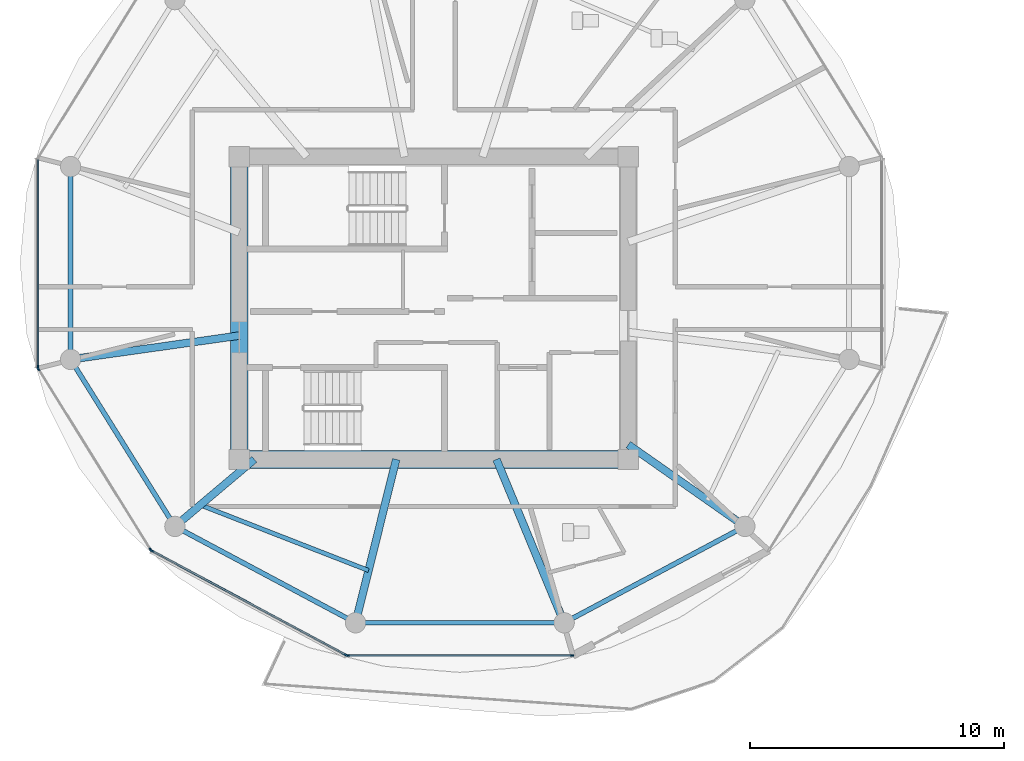
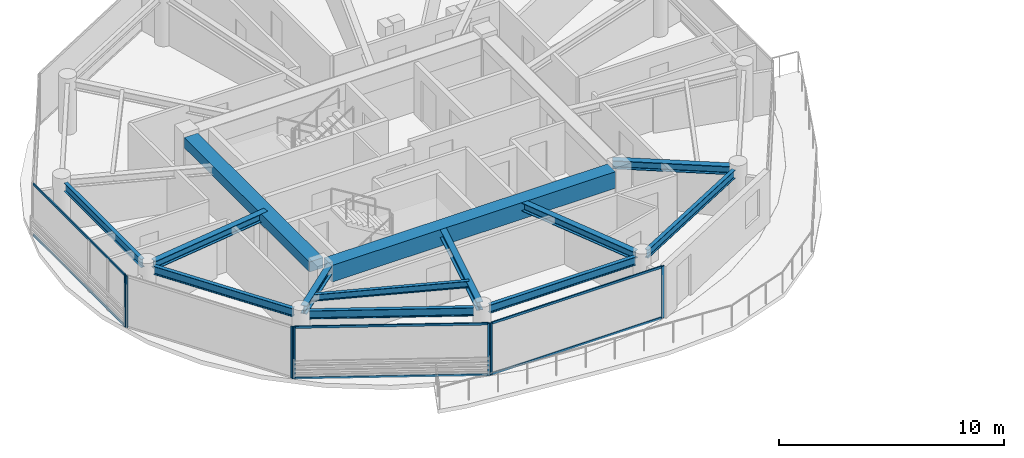
# One storey, part 2 of 23: 13 beams, 13 members, 4 elements without a shape of their own.
"""IFC4 building model written with IfcOpenShell, lengths in metres."""

from ifc_helpers import new_model, si_unit, direction, frame, origin, origin_2d, place, context, subcontext, project, spatial, rectangle, i_section, extrude, source, transform, mapped, material, layer, layer_set, material_profile, profile_set, type_object, type_shapes, element, aggregate, save


model = new_model("IFC4")

# Units and contexts
model_context = context("Model", 3, precision=1e-05, world=origin(), true_north=direction((0.0, 1.0)))
body_context = subcontext(model_context, "Body", "Model", "MODEL_VIEW")
ifc_project = project(units=[si_unit("LENGTHUNIT", "METRE"), si_unit("AREAUNIT", "SQUARE_METRE"), si_unit("VOLUMEUNIT", "CUBIC_METRE"), si_unit("PLANEANGLEUNIT", "RADIAN"), si_unit("MASSUNIT", "GRAM", prefix="KILO")], contexts=[model_context])

# Site, building, storey
site_placement = place(None, origin())
site = spatial("IfcSite", under=ifc_project, at=site_placement, CompositionType="ELEMENT")
building_placement = place(site_placement, origin())
building = spatial("IfcBuilding", under=site, at=building_placement, Name="Norrkilde Senior Care Towers", CompositionType="ELEMENT")
storey_placement = place(building_placement, frame((0.0, 0.0, 177.0)))
storey = spatial("IfcBuildingStorey", under=building, at=storey_placement, Name="L55", CompositionType="ELEMENT", Elevation=177.0)

# Beams
ifc_material_1 = material(Name="Concrete C60/75", Category="concrete")
ifc_material_profile_1 = material_profile(ifc_material_1, rectangle(XDim=0.699951171875, YDim=0.89990234375, at=origin_2d()), Name="RC BM 700x900")
ifc_profile_set_1 = profile_set([ifc_material_profile_1], Name="Concrete C60/75")
beam_type_1 = type_object("IfcBeamType", Name="Core Coupling Girder 700x900", PredefinedType="USERDEFINED", material=ifc_profile_set_1)
shared_shape_1 = source(origin(), body_context, "Body", "SweptSolid", [
    extrude(rectangle(XDim=0.699951171875, YDim=0.89990234375, at=origin_2d()), origin(), (0.0, 0.0, 1.0), 14.5400390625),
])
type_shapes(beam_type_1, [shared_shape_1])
beam_1_placement = place(storey_placement, frame((-35.27001953125, -5.949951171875, 2.360107421875), z_axis=(1.0, 0.0, 0.0), x_axis=(0.0, 1.0, 0.0)))
element("IfcBeam", 1, at=beam_1_placement, inside=storey, type_object=beam_type_1, Name="L55 Core W S Coupling Girder", ObjectType="GIRDER", PredefinedType="USERDEFINED", context=body_context, shape_type="MappedRepresentation", body=[
    mapped(shared_shape_1, transform((0.0, 0.0, 0.0), x_axis=(1.0, 0.0, 0.0), y_axis=(0.0, 1.0, 0.0), z_axis=(0.0, 0.0, 1.0), scale=1.0)),
])
ifc_material_profile_2 = material_profile(ifc_material_1, rectangle(XDim=0.699951171875, YDim=0.550048828125, at=origin_2d()), Name="RC BM 700x550")
ifc_profile_set_2 = profile_set([ifc_material_profile_2], Name="Concrete C60/75")
beam_type_2 = type_object("IfcBeamType", Name="Core Portal Coupling Beam 700x550", PredefinedType="USERDEFINED", material=ifc_profile_set_2)
shared_shape_2 = source(origin(), body_context, "Body", "SweptSolid", [
    extrude(rectangle(XDim=0.699951171875, YDim=0.550048828125, at=origin_2d()), origin(), (0.0, 0.0, 1.0), 11.14013671875),
])
type_shapes(beam_type_2, [shared_shape_2])
beam_2_placement = place(storey_placement, frame((-35.64990234375, -5.570068359375, 2.534912109375), z_axis=(0.0, 1.0, 0.0), x_axis=(-1.0, 0.0, 0.0)))
element("IfcBeam", 2, at=beam_2_placement, inside=storey, type_object=beam_type_2, Name="L55 Core W W Coupling Girder", ObjectType="GIRDER", PredefinedType="USERDEFINED", context=body_context, shape_type="MappedRepresentation", body=[
    mapped(shared_shape_2, transform((0.0, 0.0, 0.0), x_axis=(1.0, 0.0, 0.0), y_axis=(0.0, 1.0, 0.0), z_axis=(0.0, 0.0, 1.0), scale=1.0)),
])
ifc_material_2 = material(Name="Steel S355", Category="steel")
ifc_material_profile_3 = material_profile(ifc_material_2, i_section(OverallWidth=0.18994140625, OverallDepth=0.449951171875, WebThickness=0.009521484375, FlangeThickness=0.0146484375, FilletRadius=0.02099609375, at=origin_2d()), Name="IPE 450")
ifc_profile_set_3 = profile_set([ifc_material_profile_3], Name="Steel S355")
beam_type_3 = type_object("IfcBeamType", Name="Perimeter Ring Spandrel Z3 IPE450", PredefinedType="SPANDREL", material=ifc_profile_set_3)
shared_shape_3 = source(origin(), body_context, "Body", "SweptSolid", [
    extrude(i_section(OverallWidth=0.18994140625, OverallDepth=0.449951171875, WebThickness=0.009521484375, FlangeThickness=0.0146484375, FilletRadius=0.02099609375, at=origin_2d()), origin(), (0.0, 0.0, 1.0), 7.484619140625),
])
beam_3_placement = place(storey_placement, frame((-30.71728515625, -12.37548828125, 2.5849609375), z_axis=(1.0, 0.0, 0.0), x_axis=(0.0, 1.0, 0.0)))
element("IfcBeam", 3, at=beam_3_placement, inside=storey, type_object=beam_type_3, Name="L55 Drum W Perimeter Spandrel 09", PredefinedType="SPANDREL", context=body_context, shape_type="MappedRepresentation", body=[
    mapped(shared_shape_3, transform((0.0, 0.0, 0.0), x_axis=(1.0, 0.0, 0.0), y_axis=(0.0, 1.0, 0.0), z_axis=(0.0, 0.0, 1.0), scale=1.0)),
])
shared_shape_4 = source(origin(), body_context, "Body", "SweptSolid", [
    extrude(i_section(OverallWidth=0.18994140625, OverallDepth=0.449951171875, WebThickness=0.009521484375, FlangeThickness=0.0146484375, FilletRadius=0.02099609375, at=origin_2d()), origin(), (0.0, 0.0, 1.0), 6.86328125),
])
beam_4_placement = place(storey_placement, frame((-42.284912109375, 5.20703125, 2.5849609375), z_axis=(0.0, -1.0, 0.0), x_axis=(1.0, 0.0, 0.0)))
element("IfcBeam", 4, at=beam_4_placement, inside=storey, type_object=beam_type_3, Name="L55 Drum W Perimeter Spandrel 06", PredefinedType="SPANDREL", context=body_context, shape_type="MappedRepresentation", body=[
    mapped(shared_shape_4, transform((0.0, 0.0, 0.0), x_axis=(1.0, 0.0, 0.0), y_axis=(0.0, 1.0, 0.0), z_axis=(0.0, 0.0, 1.0), scale=1.0)),
])
shared_shape_5 = source(origin(), body_context, "Body", "SweptSolid", [
    extrude(i_section(OverallWidth=0.18994140625, OverallDepth=0.449951171875, WebThickness=0.009521484375, FlangeThickness=0.0146484375, FilletRadius=0.02099609375, at=origin_2d()), origin(), (0.0, 0.0, 1.0), 7.023193359375),
])
beam_5_placement = place(storey_placement, frame((-42.09423828125, -2.32177734375, 2.5849609375), z_axis=(0.529805197269, -0.848119362441, 0.0), x_axis=(0.848119362441, 0.529805197269, 0.0)))
element("IfcBeam", 5, at=beam_5_placement, inside=storey, type_object=beam_type_3, Name="L55 Drum W Perimeter Spandrel 07", PredefinedType="SPANDREL", context=body_context, shape_type="MappedRepresentation", body=[
    mapped(shared_shape_5, transform((0.0, 0.0, 0.0), x_axis=(1.0, 0.0, 0.0), y_axis=(0.0, 1.0, 0.0), z_axis=(0.0, 0.0, 1.0), scale=1.0)),
])
ifc_material_profile_4 = material_profile(ifc_material_2, i_section(OverallWidth=0.300048828125, OverallDepth=0.449951171875, WebThickness=0.013916015625, FlangeThickness=0.02587890625, FilletRadius=0.027099609375, at=origin_2d()), Name="HEB 450")
ifc_profile_set_4 = profile_set([ifc_material_profile_4], Name="Steel S355")
beam_type_4 = type_object("IfcBeamType", Name="Radial Floor Beam Z3 HEB450", PredefinedType="BEAM", material=ifc_profile_set_4)
shared_shape_6 = source(origin(), body_context, "Body", "SweptSolid", [
    extrude(i_section(OverallWidth=0.300048828125, OverallDepth=0.449951171875, WebThickness=0.013916015625, FlangeThickness=0.02587890625, FilletRadius=0.027099609375, at=origin_2d()), origin(), (0.0, 0.0, 1.0), 6.3408203125),
])
beam_6_placement = place(storey_placement, frame((-35.64990234375, -1.079833984375, 2.5849609375), z_axis=(-0.990184519576, -0.139766294905, 0.0), x_axis=(0.139766294905, -0.990184519576, 0.0)))
element("IfcBeam", 6, at=beam_6_placement, inside=storey, type_object=beam_type_4, Name="L55 Drum W Radial Floor Beam 07", PredefinedType="BEAM", context=body_context, shape_type="MappedRepresentation", body=[
    mapped(shared_shape_6, transform((0.0, 0.0, 0.0), x_axis=(1.0, 0.0, 0.0), y_axis=(0.0, 1.0, 0.0), z_axis=(0.0, 0.0, 1.0), scale=1.0)),
])
shared_shape_7 = source(origin(), body_context, "Body", "SweptSolid", [
    extrude(i_section(OverallWidth=0.18994140625, OverallDepth=0.449951171875, WebThickness=0.009521484375, FlangeThickness=0.0146484375, FilletRadius=0.02099609375, at=origin_2d()), origin(), (0.0, 0.0, 1.0), 7.333984375),
])
type_shapes(beam_type_3, [shared_shape_3, shared_shape_4, shared_shape_5, shared_shape_7])
for number, where, z_axis, x_axis, name in (
    (7, (-37.864990234375, -8.753173828125, 2.5849609375), (0.882234038987, -0.470811109101, 0.0), (0.470811109101, 0.882234038987, 0.0), "L55 Drum W Perimeter Spandrel 08"),
    (8, (-22.55517578125, -12.2060546875, 2.5849609375), (0.882234038987, 0.470811109101, 0.0), (-0.470811109101, 0.882234038987, 0.0), "L55 Drum W Perimeter Spandrel 10"),
):
    element("IfcBeam", number, at=place(storey_placement, frame(where, z_axis=z_axis, x_axis=x_axis)), inside=storey, type_object=beam_type_3, Name=name, PredefinedType="SPANDREL", context=body_context, shape_type="MappedRepresentation", body=[
        mapped(shared_shape_7, transform((0.0, 0.0, 0.0), x_axis=(1.0, 0.0, 0.0), y_axis=(0.0, 1.0, 0.0), z_axis=(0.0, 0.0, 1.0), scale=1.0)),
    ])
shared_shape_8 = source(origin(), body_context, "Body", "SweptSolid", [
    extrude(i_section(OverallWidth=0.300048828125, OverallDepth=0.449951171875, WebThickness=0.013916015625, FlangeThickness=0.02587890625, FilletRadius=0.027099609375, at=origin_2d()), origin(), (0.0, 0.0, 1.0), 3.7265625),
])
beam_7_placement = place(storey_placement, frame((-35.058349609375, -5.949951171875, 2.5849609375), z_axis=(-0.764567902106, -0.644543189453, 0.0), x_axis=(0.644543189453, -0.764567902106, 0.0)))
element("IfcBeam", 9, at=beam_7_placement, inside=storey, type_object=beam_type_4, Name="L55 Drum W Radial Floor Beam 08", PredefinedType="BEAM", context=body_context, shape_type="MappedRepresentation", body=[
    mapped(shared_shape_8, transform((0.0, 0.0, 0.0), x_axis=(1.0, 0.0, 0.0), y_axis=(0.0, 1.0, 0.0), z_axis=(0.0, 0.0, 1.0), scale=1.0)),
])
shared_shape_9 = source(origin(), body_context, "Body", "SweptSolid", [
    extrude(i_section(OverallWidth=0.300048828125, OverallDepth=0.449951171875, WebThickness=0.013916015625, FlangeThickness=0.02587890625, FilletRadius=0.027099609375, at=origin_2d()), origin(), (0.0, 0.0, 1.0), 6.26123046875),
])
beam_8_placement = place(storey_placement, frame((-29.4794921875, -5.949951171875, 2.5849609375), z_axis=(-0.241324375921, -0.970444509277, 0.0), x_axis=(0.970444509277, -0.241324375921, 0.0)))
element("IfcBeam", 10, at=beam_8_placement, inside=storey, type_object=beam_type_4, Name="L55 Drum W Radial Floor Beam 09", PredefinedType="BEAM", context=body_context, shape_type="MappedRepresentation", body=[
    mapped(shared_shape_9, transform((0.0, 0.0, 0.0), x_axis=(1.0, 0.0, 0.0), y_axis=(0.0, 1.0, 0.0), z_axis=(0.0, 0.0, 1.0), scale=1.0)),
])
shared_shape_10 = source(origin(), body_context, "Body", "SweptSolid", [
    extrude(i_section(OverallWidth=0.300048828125, OverallDepth=0.449951171875, WebThickness=0.013916015625, FlangeThickness=0.02587890625, FilletRadius=0.027099609375, at=origin_2d()), origin(), (0.0, 0.0, 1.0), 6.59521484375),
])
beam_9_placement = place(storey_placement, frame((-25.534912109375, -5.949951171875, 2.5849609375), z_axis=(0.382761541363, -0.923847174836, 0.0), x_axis=(0.923847174836, 0.382761541363, 0.0)))
element("IfcBeam", 11, at=beam_9_placement, inside=storey, type_object=beam_type_4, Name="L55 Drum W Radial Floor Beam 10", PredefinedType="BEAM", context=body_context, shape_type="MappedRepresentation", body=[
    mapped(shared_shape_10, transform((0.0, 0.0, 0.0), x_axis=(1.0, 0.0, 0.0), y_axis=(0.0, 1.0, 0.0), z_axis=(0.0, 0.0, 1.0), scale=1.0)),
])
shared_shape_11 = source(origin(), body_context, "Body", "SweptSolid", [
    extrude(i_section(OverallWidth=0.300048828125, OverallDepth=0.449951171875, WebThickness=0.013916015625, FlangeThickness=0.02587890625, FilletRadius=0.027099609375, at=origin_2d()), origin(), (0.0, 0.0, 1.0), 5.23828125),
])
type_shapes(beam_type_4, [shared_shape_6, shared_shape_8, shared_shape_9, shared_shape_10, shared_shape_11])
beam_10_placement = place(storey_placement, frame((-20.35009765625, -5.3681640625, 2.5849609375), z_axis=(0.818592061291, -0.574375345215, 0.0), x_axis=(0.574375345215, 0.818592061291, 0.0)))
element("IfcBeam", 12, at=beam_10_placement, inside=storey, type_object=beam_type_4, Name="L55 Drum W Radial Floor Beam 11", PredefinedType="BEAM", context=body_context, shape_type="MappedRepresentation", body=[
    mapped(shared_shape_11, transform((0.0, 0.0, 0.0), x_axis=(1.0, 0.0, 0.0), y_axis=(0.0, 1.0, 0.0), z_axis=(0.0, 0.0, 1.0), scale=1.0)),
])
ifc_material_profile_5 = material_profile(ifc_material_2, i_section(OverallWidth=0.169921875, OverallDepth=0.360107421875, WebThickness=0.008056640625, FlangeThickness=0.0126953125, FilletRadius=0.01806640625, at=origin_2d()), Name="IPE 360")
ifc_profile_set_5 = profile_set([ifc_material_profile_5], Name="Steel S355")
beam_type_5 = type_object("IfcBeamType", Name="Secondary Floor Joist IPE360", PredefinedType="JOIST", material=ifc_profile_set_5)
shared_shape_12 = source(origin(), body_context, "Body", "SweptSolid", [
    extrude(i_section(OverallWidth=0.169921875, OverallDepth=0.360107421875, WebThickness=0.008056640625, FlangeThickness=0.0126953125, FilletRadius=0.01806640625, at=origin_2d()), origin(), (0.0, 0.0, 1.0), 7.1015625),
])
type_shapes(beam_type_5, [shared_shape_12])
beam_11_placement = place(storey_placement, frame((-37.182861328125, -7.740966796875, 2.6298828125), z_axis=(0.931761231292, -0.363071629106, 0.0), x_axis=(0.363071629106, 0.931761231292, 0.0)))
element("IfcBeam", 13, at=beam_11_placement, inside=storey, type_object=beam_type_5, Name="L55 Drum W Secondary Floor Joist 3", PredefinedType="JOIST", context=body_context, shape_type="MappedRepresentation", body=[
    mapped(shared_shape_12, transform((0.0, 0.0, 0.0), x_axis=(1.0, 0.0, 0.0), y_axis=(0.0, 1.0, 0.0), z_axis=(0.0, 0.0, 1.0), scale=1.0)),
])

# Curtain wall, member
ifc_material_3 = material(Name="Triple Low-E Insulated Glazing", Category="glass")
ifc_layer = layer(ifc_material_3, 0.18994140625)
ifc_layer_set = layer_set([ifc_layer], Name="Triple Low-E Insulated Glazing")
curtain_wall_type = type_object("IfcCurtainWallType", Name="CW4 Zone 3 Senior Residence Curtain Wall", PredefinedType="NOTDEFINED", material=ifc_layer_set)
curtain_wall_1_placement = place(storey_placement, origin())
curtain_wall_1 = element("IfcCurtainWall", 14, at=curtain_wall_1_placement, inside=storey, type_object=curtain_wall_type, Name="L55 Drum W Curtain Wall 05", PredefinedType="NOTDEFINED")
ifc_material_4 = material(Name="Anodised Aluminium", Category="aluminium")
ifc_material_profile_6 = material_profile(ifc_material_4, rectangle(XDim=0.06494140625, YDim=0.14990234375, at=origin_2d()), Name="ALU MULL 65x150")
ifc_profile_set_6 = profile_set([ifc_material_profile_6], Name="Anodised Aluminium")
member_type_1 = type_object("IfcMemberType", Name="Curtain Wall Mullion Z3-Z4 65x150", PredefinedType="MULLION", material=ifc_profile_set_6)
shared_shape_13 = source(origin(), body_context, "Body", "SweptSolid", [
    extrude(rectangle(XDim=0.06494140625, YDim=0.14990234375, at=origin_2d()), origin(), (0.0, 0.0, 1.0), 2.81005859375),
])
type_shapes(member_type_1, [shared_shape_13])
member_1_placement = place(storey_placement, frame((-43.569580078125, -2.328125, 0.0), z_axis=(0.0, 0.0, 1.0), x_axis=(-1.0, 0.0, 0.0)))
member_1 = element("IfcMember", 15, at=member_1_placement, type_object=member_type_1, Name="CW-4 mullion 1", PredefinedType="MULLION", context=body_context, shape_type="MappedRepresentation", body=[
    mapped(shared_shape_13, transform((0.0, 0.0, 0.0), x_axis=(1.0, 0.0, 0.0), y_axis=(0.0, 1.0, 0.0), z_axis=(0.0, 0.0, 1.0), scale=1.0)),
])

# Curtain wall, members
curtain_wall_2_placement = place(storey_placement, origin())
curtain_wall_2 = element("IfcCurtainWall", 16, at=curtain_wall_2_placement, inside=storey, type_object=curtain_wall_type, Name="L55 Drum W Curtain Wall 06", PredefinedType="NOTDEFINED")
member_2_placement = place(storey_placement, frame((-39.14013671875, -9.49658203125, 0.0), z_axis=(0.0, 0.0, 1.0), x_axis=(-0.84963405474, -0.52737270789, 0.0)))
member_2 = element("IfcMember", 17, at=member_2_placement, type_object=member_type_1, Name="CW-4 mullion 1", PredefinedType="MULLION", context=body_context, shape_type="MappedRepresentation", body=[
    mapped(shared_shape_13, transform((0.0, 0.0, 0.0), x_axis=(1.0, 0.0, 0.0), y_axis=(0.0, 1.0, 0.0), z_axis=(0.0, 0.0, 1.0), scale=1.0)),
])
member_3_placement = place(storey_placement, frame((-43.552490234375, -2.38818359375, 0.0), z_axis=(0.0, 0.0, 1.0), x_axis=(-0.84963405474, -0.52737270789, 0.0)))
member_3 = element("IfcMember", 18, at=member_3_placement, type_object=member_type_1, Name="CW-4 mullion 2", PredefinedType="MULLION", context=body_context, shape_type="MappedRepresentation", body=[
    mapped(shared_shape_13, transform((0.0, 0.0, 0.0), x_axis=(1.0, 0.0, 0.0), y_axis=(0.0, 1.0, 0.0), z_axis=(0.0, 0.0, 1.0), scale=1.0)),
])
aggregate(curtain_wall_2, [member_2, member_3])

curtain_wall_3_placement = place(storey_placement, origin())
curtain_wall_3 = element("IfcCurtainWall", 19, at=curtain_wall_3_placement, inside=storey, type_object=curtain_wall_type, Name="L55 Drum W Curtain Wall 07", PredefinedType="NOTDEFINED")
member_4_placement = place(storey_placement, frame((-31.4501953125, -13.644775390625, 0.0), z_axis=(0.0, 0.0, 1.0), x_axis=(-0.47311715104, -0.880999524059, 0.0)))
member_4 = element("IfcMember", 20, at=member_4_placement, type_object=member_type_1, Name="CW-4 mullion 1", PredefinedType="MULLION", context=body_context, shape_type="MappedRepresentation", body=[
    mapped(shared_shape_13, transform((0.0, 0.0, 0.0), x_axis=(1.0, 0.0, 0.0), y_axis=(0.0, 1.0, 0.0), z_axis=(0.0, 0.0, 1.0), scale=1.0)),
])
member_5_placement = place(storey_placement, frame((-39.094482421875, -9.53955078125, 0.0), z_axis=(0.0, 0.0, 1.0), x_axis=(-0.47311715104, -0.880999524059, 0.0)))
member_5 = element("IfcMember", 21, at=member_5_placement, type_object=member_type_1, Name="CW-4 mullion 2", PredefinedType="MULLION", context=body_context, shape_type="MappedRepresentation", body=[
    mapped(shared_shape_13, transform((0.0, 0.0, 0.0), x_axis=(1.0, 0.0, 0.0), y_axis=(0.0, 1.0, 0.0), z_axis=(0.0, 0.0, 1.0), scale=1.0)),
])

curtain_wall_4_placement = place(storey_placement, origin())
curtain_wall_4 = element("IfcCurtainWall", 22, at=curtain_wall_4_placement, inside=storey, type_object=curtain_wall_type, Name="L55 Drum W Curtain Wall 08", PredefinedType="NOTDEFINED")
member_6_placement = place(storey_placement, frame((-22.56103515625, -13.66015625, 0.0), z_axis=(0.0, 0.0, 1.0), x_axis=(0.0, -1.0, 0.0)))
member_6 = element("IfcMember", 23, at=member_6_placement, type_object=member_type_1, Name="CW-4 mullion 1", PredefinedType="MULLION", context=body_context, shape_type="MappedRepresentation", body=[
    mapped(shared_shape_13, transform((0.0, 0.0, 0.0), x_axis=(1.0, 0.0, 0.0), y_axis=(0.0, 1.0, 0.0), z_axis=(0.0, 0.0, 1.0), scale=1.0)),
])
member_7_placement = place(storey_placement, frame((-31.388916015625, -13.66015625, 0.0), z_axis=(0.0, 0.0, 1.0), x_axis=(0.0, -1.0, 0.0)))
member_7 = element("IfcMember", 24, at=member_7_placement, type_object=member_type_1, Name="CW-4 mullion 2", PredefinedType="MULLION", context=body_context, shape_type="MappedRepresentation", body=[
    mapped(shared_shape_13, transform((0.0, 0.0, 0.0), x_axis=(1.0, 0.0, 0.0), y_axis=(0.0, 1.0, 0.0), z_axis=(0.0, 0.0, 1.0), scale=1.0)),
])
ifc_material_profile_7 = material_profile(ifc_material_4, rectangle(XDim=0.06005859375, YDim=0.1201171875, at=origin_2d()), Name="ALU TRAN 60x120")
ifc_profile_set_7 = profile_set([ifc_material_profile_7], Name="Anodised Aluminium")
member_type_2 = type_object("IfcMemberType", Name="Curtain Wall Transom Typical 60x120", PredefinedType="USERDEFINED", material=ifc_profile_set_7)
shared_shape_14 = source(origin(), body_context, "Body", "SweptSolid", [
    extrude(rectangle(XDim=0.06005859375, YDim=0.1201171875, at=origin_2d()), origin(), (0.0, 0.0, 1.0), 8.762939453125),
])
member_8_placement = place(storey_placement, frame((-22.593505859375, -13.66015625, 0.030029296875), z_axis=(-1.0, 0.0, 0.0), x_axis=(0.0, -1.0, 0.0)))
member_8 = element("IfcMember", 25, at=member_8_placement, type_object=member_type_2, Name="CW-4 transom 1.1", ObjectType="TRANSOM", PredefinedType="USERDEFINED", context=body_context, shape_type="MappedRepresentation", body=[
    mapped(shared_shape_14, transform((0.0, 0.0, 0.0), x_axis=(1.0, 0.0, 0.0), y_axis=(0.0, 1.0, 0.0), z_axis=(0.0, 0.0, 1.0), scale=1.0)),
])
member_9_placement = place(storey_placement, frame((-22.593505859375, -13.66015625, 2.780029296875), z_axis=(-1.0, 0.0, 0.0), x_axis=(0.0, -1.0, 0.0)))
member_9 = element("IfcMember", 26, at=member_9_placement, type_object=member_type_2, Name="CW-4 transom 1.2", ObjectType="TRANSOM", PredefinedType="USERDEFINED", context=body_context, shape_type="MappedRepresentation", body=[
    mapped(shared_shape_14, transform((0.0, 0.0, 0.0), x_axis=(1.0, 0.0, 0.0), y_axis=(0.0, 1.0, 0.0), z_axis=(0.0, 0.0, 1.0), scale=1.0)),
])
aggregate(curtain_wall_4, [member_6, member_7, member_8, member_9])

# Member
shared_shape_15 = source(origin(), body_context, "Body", "SweptSolid", [
    extrude(rectangle(XDim=0.06005859375, YDim=0.1201171875, at=origin_2d()), origin(), (0.0, 0.0, 1.0), 8.612060546875),
])
member_10_placement = place(storey_placement, frame((-31.478759765625, -13.62939453125, 0.030029296875), z_axis=(-0.881000337462, 0.473115636384, 0.0), x_axis=(-0.473115636384, -0.881000337462, 0.0)))
member_10 = element("IfcMember", 27, at=member_10_placement, type_object=member_type_2, Name="CW-4 transom 1.1", ObjectType="TRANSOM", PredefinedType="USERDEFINED", context=body_context, shape_type="MappedRepresentation", body=[
    mapped(shared_shape_15, transform((0.0, 0.0, 0.0), x_axis=(1.0, 0.0, 0.0), y_axis=(0.0, 1.0, 0.0), z_axis=(0.0, 0.0, 1.0), scale=1.0)),
])

member_11_placement = place(storey_placement, frame((-31.478759765625, -13.62939453125, 2.780029296875), z_axis=(-0.881000337462, 0.473115636384, 0.0), x_axis=(-0.473115636384, -0.881000337462, 0.0)))
member_11 = element("IfcMember", 28, at=member_11_placement, type_object=member_type_2, Name="CW-4 transom 1.2", ObjectType="TRANSOM", PredefinedType="USERDEFINED", context=body_context, shape_type="MappedRepresentation", body=[
    mapped(shared_shape_15, transform((0.0, 0.0, 0.0), x_axis=(1.0, 0.0, 0.0), y_axis=(0.0, 1.0, 0.0), z_axis=(0.0, 0.0, 1.0), scale=1.0)),
])

aggregate(curtain_wall_3, [member_4, member_5, member_10, member_11])

shared_shape_16 = source(origin(), body_context, "Body", "SweptSolid", [
    extrude(rectangle(XDim=0.06005859375, YDim=0.1201171875, at=origin_2d()), origin(), (0.0, 0.0, 1.0), 8.141845703125),
])
type_shapes(member_type_2, [shared_shape_14, shared_shape_15, shared_shape_16])
member_12_placement = place(storey_placement, frame((-43.569580078125, -2.295654296875, 0.030029296875), z_axis=(0.0, 1.0, 0.0), x_axis=(-1.0, 0.0, 0.0)))
member_12 = element("IfcMember", 29, at=member_12_placement, type_object=member_type_2, Name="CW-4 transom 1.1", ObjectType="TRANSOM", PredefinedType="USERDEFINED", context=body_context, shape_type="MappedRepresentation", body=[
    mapped(shared_shape_16, transform((0.0, 0.0, 0.0), x_axis=(1.0, 0.0, 0.0), y_axis=(0.0, 1.0, 0.0), z_axis=(0.0, 0.0, 1.0), scale=1.0)),
])

member_13_placement = place(storey_placement, frame((-43.569580078125, -2.295654296875, 2.780029296875), z_axis=(0.0, 1.0, 0.0), x_axis=(-1.0, 0.0, 0.0)))
member_13 = element("IfcMember", 30, at=member_13_placement, type_object=member_type_2, Name="CW-4 transom 1.2", ObjectType="TRANSOM", PredefinedType="USERDEFINED", context=body_context, shape_type="MappedRepresentation", body=[
    mapped(shared_shape_16, transform((0.0, 0.0, 0.0), x_axis=(1.0, 0.0, 0.0), y_axis=(0.0, 1.0, 0.0), z_axis=(0.0, 0.0, 1.0), scale=1.0)),
])

aggregate(curtain_wall_1, [member_1, member_12, member_13])

save(model, "model.ifc")
